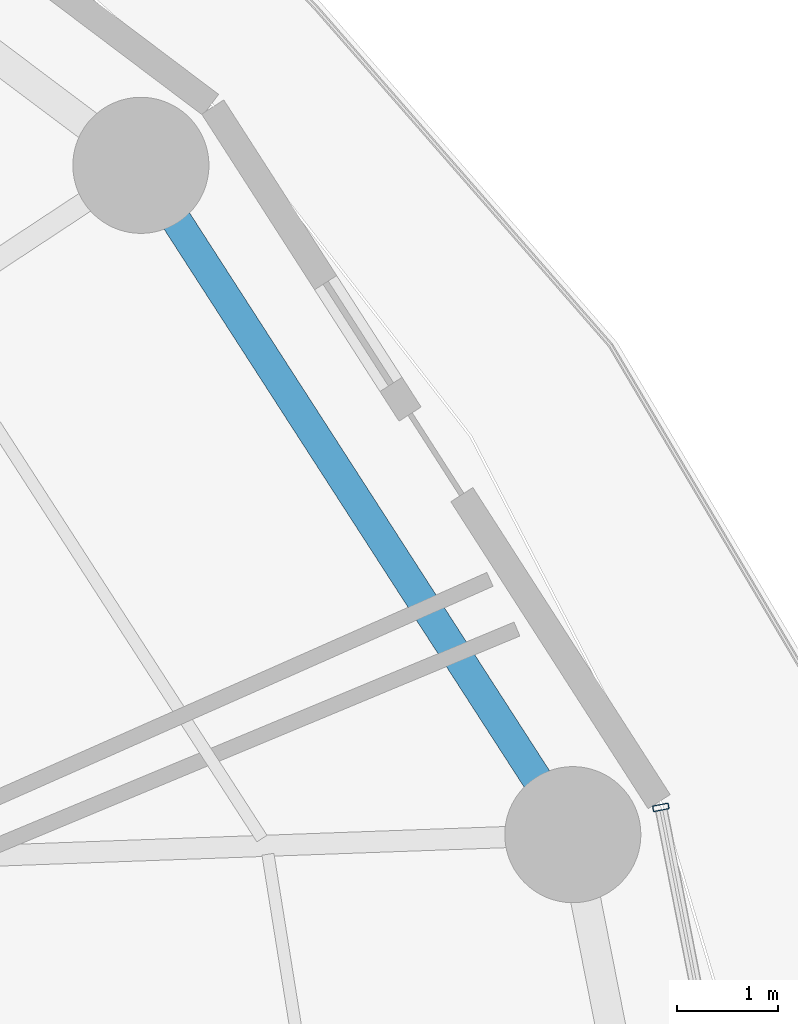
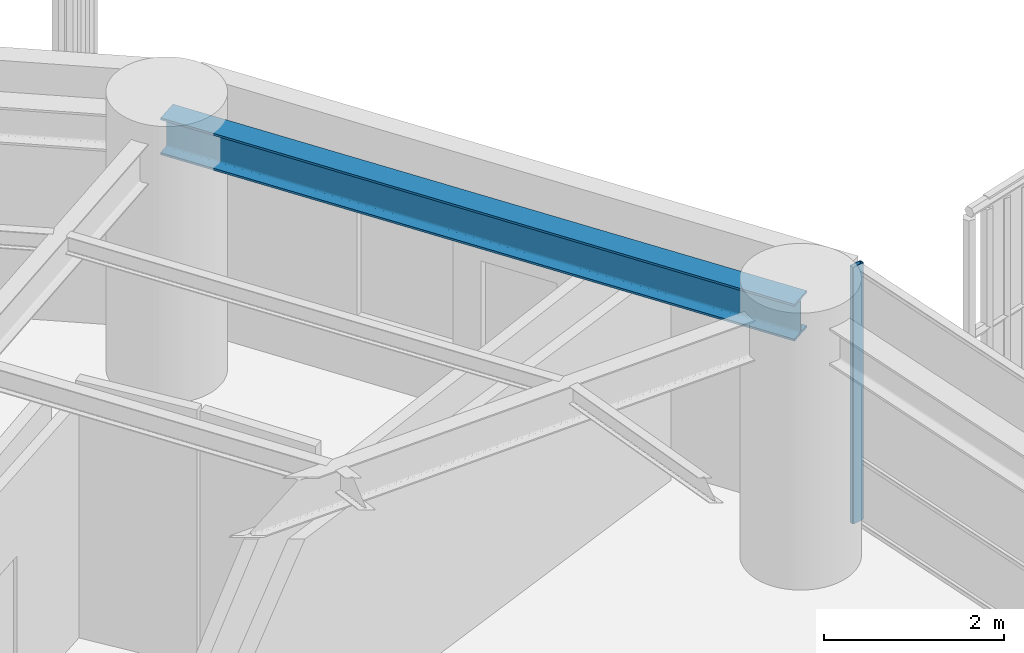
# One storey, part 25 of 35: 1 beam, 1 member, 1 element without a shape of its own.
"""IFC4 building model written with IfcOpenShell, lengths in metres."""

from ifc_helpers import new_model, si_unit, direction, frame, origin, origin_2d, place, context, subcontext, project, spatial, hollow_rectangle, i_section, extrude, material, layer, layer_set, material_profile, profile_set, type_object, element, aggregate, save


model = new_model("IFC4")

# Units and contexts
model_context = context("Model", 3, precision=1e-05, world=origin(), true_north=direction((0.0, 1.0)))
body_context = subcontext(model_context, "Body", "Model", "MODEL_VIEW")
ifc_project = project(units=[si_unit("LENGTHUNIT", "METRE"), si_unit("AREAUNIT", "SQUARE_METRE"), si_unit("VOLUMEUNIT", "CUBIC_METRE"), si_unit("PLANEANGLEUNIT", "RADIAN"), si_unit("MASSUNIT", "GRAM", prefix="KILO")], contexts=[model_context])

# Site, building, storey
site_placement = place(None, origin())
site = spatial("IfcSite", under=ifc_project, at=site_placement, CompositionType="ELEMENT")
building_placement = place(site_placement, origin())
building = spatial("IfcBuilding", under=site, at=building_placement, Name="Kelanora Arch Commons", CompositionType="ELEMENT")
storey_placement = place(building_placement, frame((0.0, 0.0, 95.10009765625)))
storey = spatial("IfcBuildingStorey", under=building, at=storey_placement, Name="L24", CompositionType="ELEMENT", Elevation=95.10009765625)

# Beam
ifc_material_1 = material(Name="Steel S355", Category="steel")
ifc_material_profile_1 = material_profile(ifc_material_1, i_section(OverallWidth=0.300048828125, OverallDepth=0.5, WebThickness=0.014404296875, FlangeThickness=0.028076171875, FilletRadius=0.027099609375, at=origin_2d()), Name="HEB500")
ifc_profile_set_1 = profile_set([ifc_material_profile_1], Name="Steel S355")
beam_type = type_object("IfcBeamType", Name="BM-SPN-Z2", PredefinedType="SPANDREL", material=ifc_profile_set_1)
beam_placement = place(storey_placement, frame((97.191650390625, 65.5517578125, 3.239990234375), z_axis=(-0.542221144054, 0.840235818649, 0.0), x_axis=(-0.840235818649, -0.542221144054, 0.0)))
element("IfcBeam", 1, at=beam_placement, inside=storey, type_object=beam_type, Name="Perimeter Spandrel Beam BS-02 L24", PredefinedType="SPANDREL", context=body_context, shape_type="SweptSolid", body=[
    extrude(i_section(OverallWidth=0.300048828125, OverallDepth=0.5, WebThickness=0.014404296875, FlangeThickness=0.028076171875, FilletRadius=0.027099609375, at=origin_2d()), origin(), (0.0, 0.0, 1.0), 7.90380859375),
])

# Curtain wall, member
ifc_material_2 = material(Name="Terracotta ceramic-fritted low-E glass and aluminium", Category="masonry")
ifc_layer = layer(ifc_material_2, 0.159912109375)
ifc_layer_set = layer_set([ifc_layer], Name="Terracotta ceramic-fritted low-E glass and aluminium")
curtain_wall_type = type_object("IfcCurtainWallType", Name="CW-SYS-01", PredefinedType="NOTDEFINED", material=ifc_layer_set)
curtain_wall_placement = place(storey_placement, origin())
curtain_wall = element("IfcCurtainWall", 2, at=curtain_wall_placement, inside=storey, type_object=curtain_wall_type, Name="Unitised Curtain Wall L24-B00", PredefinedType="NOTDEFINED")
ifc_material_3 = material(Name="Powder-coated aluminium terracotta", Category="masonry")
ifc_material_profile_2 = material_profile(ifc_material_3, hollow_rectangle(XDim=0.159912109375, YDim=0.06005859375, WallThickness=0.0048828125, InnerFilletRadius=0.0048828125, OuterFilletRadius=0.010009765625, at=origin_2d()), Name="CWM160x60")
ifc_profile_set_2 = profile_set([ifc_material_profile_2], Name="Powder-coated aluminium terracotta")
member_type = type_object("IfcMemberType", Name="CWM-STD", PredefinedType="MULLION", material=ifc_profile_set_2)
member_placement = place(storey_placement, frame((98.064697265625, 65.822265625, 0.0), z_axis=(0.0, 0.0, 1.0), x_axis=(-0.981280311646, -0.192584916272, 0.0)))
member = element("IfcMember", 3, at=member_placement, type_object=member_type, Name="CW-01 mullion 3", PredefinedType="MULLION", context=body_context, shape_type="SweptSolid", body=[
    extrude(hollow_rectangle(XDim=0.159912109375, YDim=0.06005859375, WallThickness=0.0048828125, InnerFilletRadius=0.0048828125, OuterFilletRadius=0.010009765625, at=origin_2d()), origin(), (0.0, 0.0, 1.0), 3.474853515625),
])
aggregate(curtain_wall, [member])

save(model, "model.ifc")
